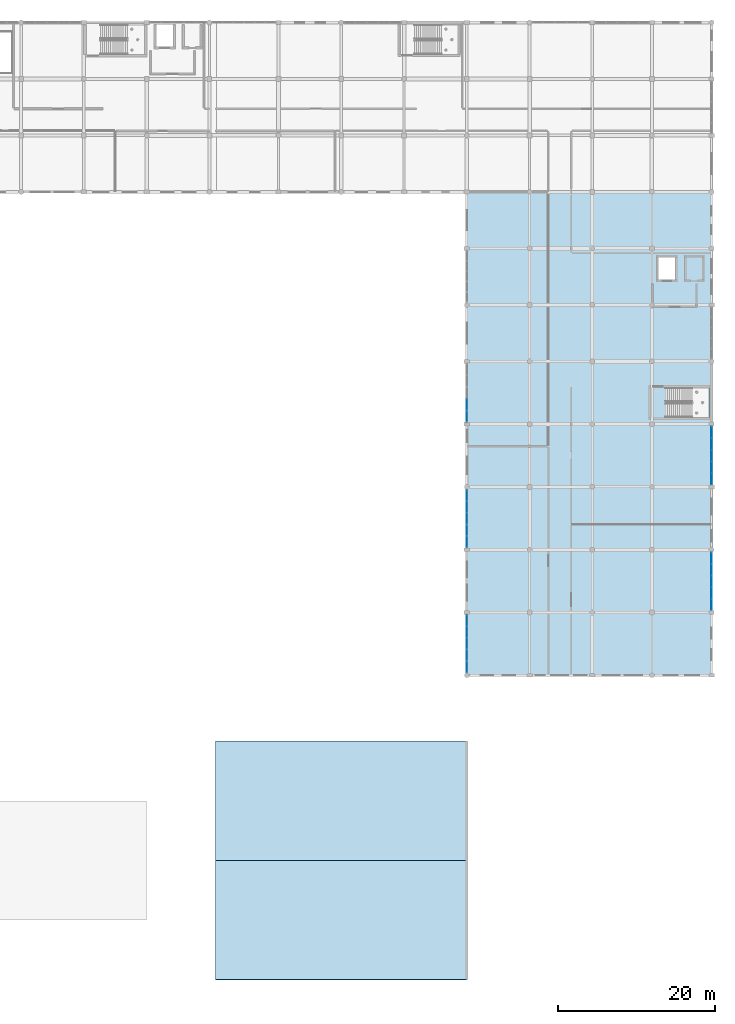
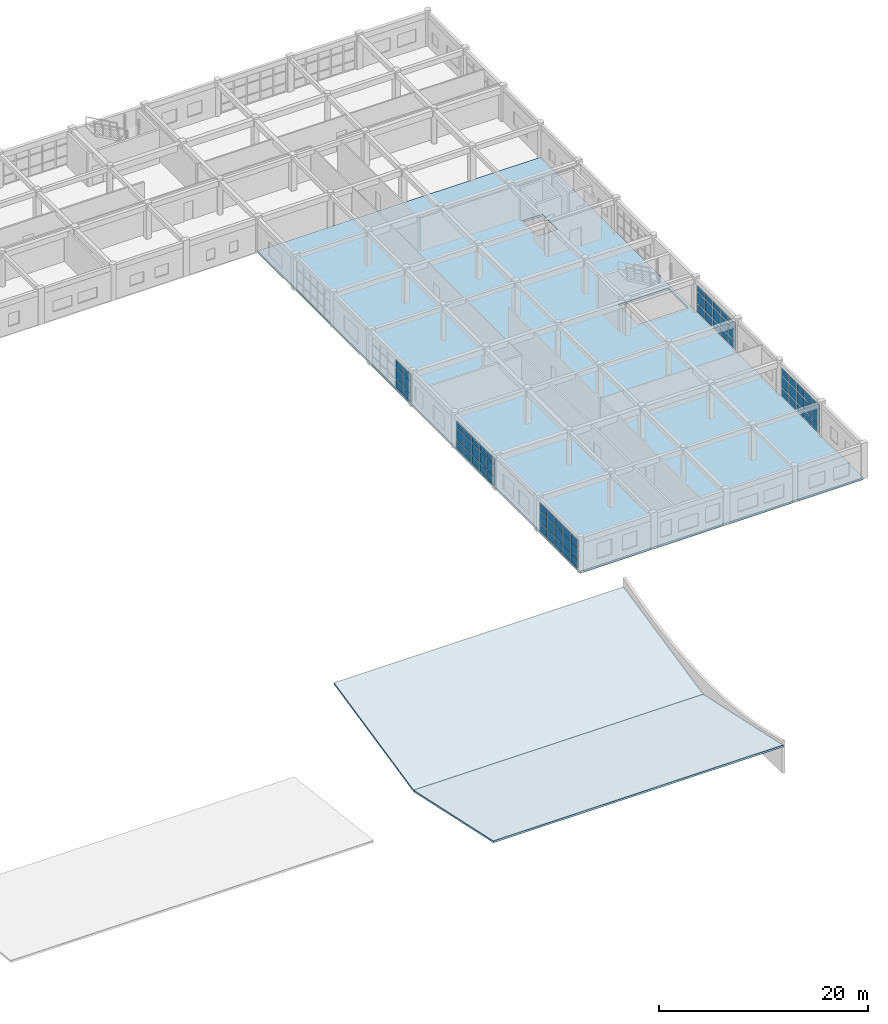
# One storey, part 37 of 53: 66 plates, 3 slabs, 5 elements without a shape of their own.
"""IFC4 building model written with IfcOpenShell, lengths in metres."""

from ifc_helpers import new_model, si_unit, direction, frame, origin, origin_2d, place, context, subcontext, project, spatial, polyline, rectangle, outline, extrude, material, layer, layer_set, type_object, element, aggregate, save


model = new_model("IFC4")

# Units and contexts
model_context = context("Model", 3, precision=1e-05, world=origin(), true_north=direction((0.0, 1.0)))
body_context = subcontext(model_context, "Body", "Model", "MODEL_VIEW")
ifc_project = project(units=[si_unit("LENGTHUNIT", "METRE"), si_unit("AREAUNIT", "SQUARE_METRE"), si_unit("VOLUMEUNIT", "CUBIC_METRE"), si_unit("PLANEANGLEUNIT", "RADIAN"), si_unit("MASSUNIT", "GRAM", prefix="KILO")], contexts=[model_context])

# Site, building, storey
site_placement = place(None, origin())
site = spatial("IfcSite", under=ifc_project, at=site_placement, CompositionType="ELEMENT")
building_placement = place(site_placement, origin())
building = spatial("IfcBuilding", under=site, at=building_placement, Name="Kharva Crest Polytechnic", CompositionType="ELEMENT")
storey_placement = place(building_placement, frame((0.0, 0.0, 17.39990234375)))
storey = spatial("IfcBuildingStorey", under=building, at=storey_placement, Name="L04", CompositionType="ELEMENT", Elevation=17.39990234375)

# Curtain wall, plates
ifc_material_1 = material(Name="Tempered insulated glass", Category="glass")
curtain_wall_type = type_object("IfcCurtainWallType", Name="CW-SYS-STUDIO", PredefinedType="USERDEFINED", material=ifc_material_1)
curtain_wall_1_placement = place(storey_placement, origin())
curtain_wall_1 = element("IfcCurtainWall", 1, at=curtain_wall_1_placement, inside=storey, type_object=curtain_wall_type, Name="L04 Glazed Curtain Wall CW-183", ObjectType="CURTAIN WALL", PredefinedType="USERDEFINED")
ifc_layer_1 = layer(ifc_material_1, 0.02587890625, Name="Tempered insulated glass")
ifc_layer_set_1 = layer_set([ifc_layer_1], Name="Tempered insulated glass")
plate_type = type_object("IfcPlateType", Name="CWP-GLZ-26", PredefinedType="CURTAIN_PANEL", material=ifc_layer_set_1)
plate_1_placement = place(storey_placement, frame((152.800048828125, 73.302001953125, 0.1201171875), z_axis=(0.0, 0.0, 1.0), x_axis=(0.0, -1.0, 0.0)))
plate_1 = element("IfcPlate", 2, at=plate_1_placement, type_object=plate_type, Name="CW-183 panel 4.1", PredefinedType="CURTAIN_PANEL", context=body_context, shape_type="SweptSolid", body=[
    extrude(rectangle(XDim=1.41796875, YDim=0.02587890625, at=origin_2d()), origin(), (0.0, 0.0, 1.0), 0.8701171875),
])
plate_2_placement = place(storey_placement, frame((152.800048828125, 73.302001953125, 1.10986328125), z_axis=(0.0, 0.0, 1.0), x_axis=(0.0, -1.0, 0.0)))
plate_2 = element("IfcPlate", 3, at=plate_2_placement, type_object=plate_type, Name="CW-183 panel 4.2", PredefinedType="CURTAIN_PANEL", context=body_context, shape_type="SweptSolid", body=[
    extrude(rectangle(XDim=1.41796875, YDim=0.02587890625, at=origin_2d()), origin(), (0.0, 0.0, 1.0), 1.280029296875),
])
plate_3_placement = place(storey_placement, frame((152.800048828125, 73.302001953125, 2.51025390625), z_axis=(0.0, 0.0, 1.0), x_axis=(0.0, -1.0, 0.0)))
plate_3 = element("IfcPlate", 4, at=plate_3_placement, type_object=plate_type, Name="CW-183 panel 4.3", PredefinedType="CURTAIN_PANEL", context=body_context, shape_type="SweptSolid", body=[
    extrude(rectangle(XDim=1.41796875, YDim=0.02587890625, at=origin_2d()), origin(), (0.0, 0.0, 1.0), 0.820068359375),
])
plate_4_placement = place(storey_placement, frame((152.800048828125, 71.823974609375, 0.1201171875), z_axis=(0.0, 0.0, 1.0), x_axis=(0.0, -1.0, 0.0)))
plate_4 = element("IfcPlate", 5, at=plate_4_placement, type_object=plate_type, Name="CW-183 panel 5.1", PredefinedType="CURTAIN_PANEL", context=body_context, shape_type="SweptSolid", body=[
    extrude(rectangle(XDim=1.3779296875, YDim=0.02587890625, at=origin_2d()), origin(), (0.0, 0.0, 1.0), 0.8701171875),
])
plate_5_placement = place(storey_placement, frame((152.800048828125, 71.823974609375, 1.10986328125), z_axis=(0.0, 0.0, 1.0), x_axis=(0.0, -1.0, 0.0)))
plate_5 = element("IfcPlate", 6, at=plate_5_placement, type_object=plate_type, Name="CW-183 panel 5.2", PredefinedType="CURTAIN_PANEL", context=body_context, shape_type="SweptSolid", body=[
    extrude(rectangle(XDim=1.3779296875, YDim=0.02587890625, at=origin_2d()), origin(), (0.0, 0.0, 1.0), 1.280029296875),
])
plate_6_placement = place(storey_placement, frame((152.800048828125, 71.823974609375, 2.51025390625), z_axis=(0.0, 0.0, 1.0), x_axis=(0.0, -1.0, 0.0)))
plate_6 = element("IfcPlate", 7, at=plate_6_placement, type_object=plate_type, Name="CW-183 panel 5.3", PredefinedType="CURTAIN_PANEL", context=body_context, shape_type="SweptSolid", body=[
    extrude(rectangle(XDim=1.3779296875, YDim=0.02587890625, at=origin_2d()), origin(), (0.0, 0.0, 1.0), 0.820068359375),
])
aggregate(curtain_wall_1, [plate_1, plate_2, plate_3, plate_4, plate_5, plate_6])

curtain_wall_2_placement = place(storey_placement, origin())
curtain_wall_2 = element("IfcCurtainWall", 8, at=curtain_wall_2_placement, inside=storey, type_object=curtain_wall_type, Name="L04 Glazed Curtain Wall CW-184", ObjectType="CURTAIN WALL", PredefinedType="USERDEFINED")
plate_7_placement = place(storey_placement, frame((152.800048828125, 61.712890625, 0.1201171875), z_axis=(0.0, 0.0, 1.0), x_axis=(0.0, -1.0, 0.0)))
plate_7 = element("IfcPlate", 9, at=plate_7_placement, type_object=plate_type, Name="CW-184 panel 1.1", PredefinedType="CURTAIN_PANEL", context=body_context, shape_type="SweptSolid", body=[
    extrude(rectangle(XDim=1.364013671875, YDim=0.02587890625, at=origin_2d()), origin(), (0.0, 0.0, 1.0), 0.8701171875),
])
plate_8_placement = place(storey_placement, frame((152.800048828125, 61.712890625, 1.10986328125), z_axis=(0.0, 0.0, 1.0), x_axis=(0.0, -1.0, 0.0)))
plate_8 = element("IfcPlate", 10, at=plate_8_placement, type_object=plate_type, Name="CW-184 panel 1.2", PredefinedType="CURTAIN_PANEL", context=body_context, shape_type="SweptSolid", body=[
    extrude(rectangle(XDim=1.364013671875, YDim=0.02587890625, at=origin_2d()), origin(), (0.0, 0.0, 1.0), 1.280029296875),
])
plate_9_placement = place(storey_placement, frame((152.800048828125, 61.712890625, 2.51025390625), z_axis=(0.0, 0.0, 1.0), x_axis=(0.0, -1.0, 0.0)))
plate_9 = element("IfcPlate", 11, at=plate_9_placement, type_object=plate_type, Name="CW-184 panel 1.3", PredefinedType="CURTAIN_PANEL", context=body_context, shape_type="SweptSolid", body=[
    extrude(rectangle(XDim=1.364013671875, YDim=0.02587890625, at=origin_2d()), origin(), (0.0, 0.0, 1.0), 0.719970703125),
])
plate_10_placement = place(storey_placement, frame((152.800048828125, 60.2490234375, 0.1201171875), z_axis=(0.0, 0.0, 1.0), x_axis=(0.0, -1.0, 0.0)))
plate_10 = element("IfcPlate", 12, at=plate_10_placement, type_object=plate_type, Name="CW-184 panel 2.1", PredefinedType="CURTAIN_PANEL", context=body_context, shape_type="SweptSolid", body=[
    extrude(rectangle(XDim=1.404052734375, YDim=0.02587890625, at=origin_2d()), origin(), (0.0, 0.0, 1.0), 0.8701171875),
])
plate_11_placement = place(storey_placement, frame((152.800048828125, 60.2490234375, 1.10986328125), z_axis=(0.0, 0.0, 1.0), x_axis=(0.0, -1.0, 0.0)))
plate_11 = element("IfcPlate", 13, at=plate_11_placement, type_object=plate_type, Name="CW-184 panel 2.2", PredefinedType="CURTAIN_PANEL", context=body_context, shape_type="SweptSolid", body=[
    extrude(rectangle(XDim=1.404052734375, YDim=0.02587890625, at=origin_2d()), origin(), (0.0, 0.0, 1.0), 1.280029296875),
])
plate_12_placement = place(storey_placement, frame((152.800048828125, 60.2490234375, 2.51025390625), z_axis=(0.0, 0.0, 1.0), x_axis=(0.0, -1.0, 0.0)))
plate_12 = element("IfcPlate", 14, at=plate_12_placement, type_object=plate_type, Name="CW-184 panel 2.3", PredefinedType="CURTAIN_PANEL", context=body_context, shape_type="SweptSolid", body=[
    extrude(rectangle(XDim=1.404052734375, YDim=0.02587890625, at=origin_2d()), origin(), (0.0, 0.0, 1.0), 0.719970703125),
])
plate_13_placement = place(storey_placement, frame((152.800048828125, 58.764892578125, 0.1201171875), z_axis=(0.0, 0.0, 1.0), x_axis=(0.0, -1.0, 0.0)))
plate_13 = element("IfcPlate", 15, at=plate_13_placement, type_object=plate_type, Name="CW-184 panel 3.1", PredefinedType="CURTAIN_PANEL", context=body_context, shape_type="SweptSolid", body=[
    extrude(rectangle(XDim=1.404052734375, YDim=0.02587890625, at=origin_2d()), origin(), (0.0, 0.0, 1.0), 0.8701171875),
])
plate_14_placement = place(storey_placement, frame((152.800048828125, 58.764892578125, 1.10986328125), z_axis=(0.0, 0.0, 1.0), x_axis=(0.0, -1.0, 0.0)))
plate_14 = element("IfcPlate", 16, at=plate_14_placement, type_object=plate_type, Name="CW-184 panel 3.2", PredefinedType="CURTAIN_PANEL", context=body_context, shape_type="SweptSolid", body=[
    extrude(rectangle(XDim=1.404052734375, YDim=0.02587890625, at=origin_2d()), origin(), (0.0, 0.0, 1.0), 1.280029296875),
])
plate_15_placement = place(storey_placement, frame((152.800048828125, 58.764892578125, 2.51025390625), z_axis=(0.0, 0.0, 1.0), x_axis=(0.0, -1.0, 0.0)))
plate_15 = element("IfcPlate", 17, at=plate_15_placement, type_object=plate_type, Name="CW-184 panel 3.3", PredefinedType="CURTAIN_PANEL", context=body_context, shape_type="SweptSolid", body=[
    extrude(rectangle(XDim=1.404052734375, YDim=0.02587890625, at=origin_2d()), origin(), (0.0, 0.0, 1.0), 0.719970703125),
])
plate_16_placement = place(storey_placement, frame((152.800048828125, 57.281005859375, 0.1201171875), z_axis=(0.0, 0.0, 1.0), x_axis=(0.0, -1.0, 0.0)))
plate_16 = element("IfcPlate", 18, at=plate_16_placement, type_object=plate_type, Name="CW-184 panel 4.1", PredefinedType="CURTAIN_PANEL", context=body_context, shape_type="SweptSolid", body=[
    extrude(rectangle(XDim=1.404052734375, YDim=0.02587890625, at=origin_2d()), origin(), (0.0, 0.0, 1.0), 0.8701171875),
])
plate_17_placement = place(storey_placement, frame((152.800048828125, 57.281005859375, 1.10986328125), z_axis=(0.0, 0.0, 1.0), x_axis=(0.0, -1.0, 0.0)))
plate_17 = element("IfcPlate", 19, at=plate_17_placement, type_object=plate_type, Name="CW-184 panel 4.2", PredefinedType="CURTAIN_PANEL", context=body_context, shape_type="SweptSolid", body=[
    extrude(rectangle(XDim=1.404052734375, YDim=0.02587890625, at=origin_2d()), origin(), (0.0, 0.0, 1.0), 1.280029296875),
])
plate_18_placement = place(storey_placement, frame((152.800048828125, 57.281005859375, 2.51025390625), z_axis=(0.0, 0.0, 1.0), x_axis=(0.0, -1.0, 0.0)))
plate_18 = element("IfcPlate", 20, at=plate_18_placement, type_object=plate_type, Name="CW-184 panel 4.3", PredefinedType="CURTAIN_PANEL", context=body_context, shape_type="SweptSolid", body=[
    extrude(rectangle(XDim=1.404052734375, YDim=0.02587890625, at=origin_2d()), origin(), (0.0, 0.0, 1.0), 0.719970703125),
])
plate_19_placement = place(storey_placement, frame((152.800048828125, 55.81689453125, 0.1201171875), z_axis=(0.0, 0.0, 1.0), x_axis=(0.0, -1.0, 0.0)))
plate_19 = element("IfcPlate", 21, at=plate_19_placement, type_object=plate_type, Name="CW-184 panel 5.1", PredefinedType="CURTAIN_PANEL", context=body_context, shape_type="SweptSolid", body=[
    extrude(rectangle(XDim=1.364013671875, YDim=0.02587890625, at=origin_2d()), origin(), (0.0, 0.0, 1.0), 0.8701171875),
])
plate_20_placement = place(storey_placement, frame((152.800048828125, 55.81689453125, 1.10986328125), z_axis=(0.0, 0.0, 1.0), x_axis=(0.0, -1.0, 0.0)))
plate_20 = element("IfcPlate", 22, at=plate_20_placement, type_object=plate_type, Name="CW-184 panel 5.2", PredefinedType="CURTAIN_PANEL", context=body_context, shape_type="SweptSolid", body=[
    extrude(rectangle(XDim=1.364013671875, YDim=0.02587890625, at=origin_2d()), origin(), (0.0, 0.0, 1.0), 1.280029296875),
])
plate_21_placement = place(storey_placement, frame((152.800048828125, 55.81689453125, 2.51025390625), z_axis=(0.0, 0.0, 1.0), x_axis=(0.0, -1.0, 0.0)))
plate_21 = element("IfcPlate", 23, at=plate_21_placement, type_object=plate_type, Name="CW-184 panel 5.3", PredefinedType="CURTAIN_PANEL", context=body_context, shape_type="SweptSolid", body=[
    extrude(rectangle(XDim=1.364013671875, YDim=0.02587890625, at=origin_2d()), origin(), (0.0, 0.0, 1.0), 0.719970703125),
])
aggregate(curtain_wall_2, [plate_7, plate_8, plate_9, plate_10, plate_11, plate_12, plate_13, plate_14, plate_15, plate_16, plate_17, plate_18, plate_19, plate_20, plate_21])

curtain_wall_3_placement = place(storey_placement, origin())
curtain_wall_3 = element("IfcCurtainWall", 24, at=curtain_wall_3_placement, inside=storey, type_object=curtain_wall_type, Name="L04 Glazed Curtain Wall CW-185", ObjectType="CURTAIN WALL", PredefinedType="USERDEFINED")
plate_22_placement = place(storey_placement, frame((152.800048828125, 45.782958984375, 0.1201171875), z_axis=(0.0, 0.0, 1.0), x_axis=(0.0, -1.0, 0.0)))
plate_22 = element("IfcPlate", 25, at=plate_22_placement, type_object=plate_type, Name="CW-185 panel 1.1", PredefinedType="CURTAIN_PANEL", context=body_context, shape_type="SweptSolid", body=[
    extrude(rectangle(XDim=1.364013671875, YDim=0.02587890625, at=origin_2d()), origin(), (0.0, 0.0, 1.0), 0.8701171875),
])
plate_23_placement = place(storey_placement, frame((152.800048828125, 45.782958984375, 1.10986328125), z_axis=(0.0, 0.0, 1.0), x_axis=(0.0, -1.0, 0.0)))
plate_23 = element("IfcPlate", 26, at=plate_23_placement, type_object=plate_type, Name="CW-185 panel 1.2", PredefinedType="CURTAIN_PANEL", context=body_context, shape_type="SweptSolid", body=[
    extrude(rectangle(XDim=1.364013671875, YDim=0.02587890625, at=origin_2d()), origin(), (0.0, 0.0, 1.0), 1.280029296875),
])
plate_24_placement = place(storey_placement, frame((152.800048828125, 45.782958984375, 2.51025390625), z_axis=(0.0, 0.0, 1.0), x_axis=(0.0, -1.0, 0.0)))
plate_24 = element("IfcPlate", 27, at=plate_24_placement, type_object=plate_type, Name="CW-185 panel 1.3", PredefinedType="CURTAIN_PANEL", context=body_context, shape_type="SweptSolid", body=[
    extrude(rectangle(XDim=1.364013671875, YDim=0.02587890625, at=origin_2d()), origin(), (0.0, 0.0, 1.0), 0.8798828125),
])
plate_25_placement = place(storey_placement, frame((152.800048828125, 44.319091796875, 0.1201171875), z_axis=(0.0, 0.0, 1.0), x_axis=(0.0, -1.0, 0.0)))
plate_25 = element("IfcPlate", 28, at=plate_25_placement, type_object=plate_type, Name="CW-185 panel 2.1", PredefinedType="CURTAIN_PANEL", context=body_context, shape_type="SweptSolid", body=[
    extrude(rectangle(XDim=1.404052734375, YDim=0.02587890625, at=origin_2d()), origin(), (0.0, 0.0, 1.0), 0.8701171875),
])
plate_26_placement = place(storey_placement, frame((152.800048828125, 44.319091796875, 1.10986328125), z_axis=(0.0, 0.0, 1.0), x_axis=(0.0, -1.0, 0.0)))
plate_26 = element("IfcPlate", 29, at=plate_26_placement, type_object=plate_type, Name="CW-185 panel 2.2", PredefinedType="CURTAIN_PANEL", context=body_context, shape_type="SweptSolid", body=[
    extrude(rectangle(XDim=1.404052734375, YDim=0.02587890625, at=origin_2d()), origin(), (0.0, 0.0, 1.0), 1.280029296875),
])
plate_27_placement = place(storey_placement, frame((152.800048828125, 44.319091796875, 2.51025390625), z_axis=(0.0, 0.0, 1.0), x_axis=(0.0, -1.0, 0.0)))
plate_27 = element("IfcPlate", 30, at=plate_27_placement, type_object=plate_type, Name="CW-185 panel 2.3", PredefinedType="CURTAIN_PANEL", context=body_context, shape_type="SweptSolid", body=[
    extrude(rectangle(XDim=1.404052734375, YDim=0.02587890625, at=origin_2d()), origin(), (0.0, 0.0, 1.0), 0.8798828125),
])
plate_28_placement = place(storey_placement, frame((152.800048828125, 42.8349609375, 0.1201171875), z_axis=(0.0, 0.0, 1.0), x_axis=(0.0, -1.0, 0.0)))
plate_28 = element("IfcPlate", 31, at=plate_28_placement, type_object=plate_type, Name="CW-185 panel 3.1", PredefinedType="CURTAIN_PANEL", context=body_context, shape_type="SweptSolid", body=[
    extrude(rectangle(XDim=1.404052734375, YDim=0.02587890625, at=origin_2d()), origin(), (0.0, 0.0, 1.0), 0.8701171875),
])
plate_29_placement = place(storey_placement, frame((152.800048828125, 42.8349609375, 1.10986328125), z_axis=(0.0, 0.0, 1.0), x_axis=(0.0, -1.0, 0.0)))
plate_29 = element("IfcPlate", 32, at=plate_29_placement, type_object=plate_type, Name="CW-185 panel 3.2", PredefinedType="CURTAIN_PANEL", context=body_context, shape_type="SweptSolid", body=[
    extrude(rectangle(XDim=1.404052734375, YDim=0.02587890625, at=origin_2d()), origin(), (0.0, 0.0, 1.0), 1.280029296875),
])
plate_30_placement = place(storey_placement, frame((152.800048828125, 42.8349609375, 2.51025390625), z_axis=(0.0, 0.0, 1.0), x_axis=(0.0, -1.0, 0.0)))
plate_30 = element("IfcPlate", 33, at=plate_30_placement, type_object=plate_type, Name="CW-185 panel 3.3", PredefinedType="CURTAIN_PANEL", context=body_context, shape_type="SweptSolid", body=[
    extrude(rectangle(XDim=1.404052734375, YDim=0.02587890625, at=origin_2d()), origin(), (0.0, 0.0, 1.0), 0.8798828125),
])
plate_31_placement = place(storey_placement, frame((152.800048828125, 41.35107421875, 0.1201171875), z_axis=(0.0, 0.0, 1.0), x_axis=(0.0, -1.0, 0.0)))
plate_31 = element("IfcPlate", 34, at=plate_31_placement, type_object=plate_type, Name="CW-185 panel 4.1", PredefinedType="CURTAIN_PANEL", context=body_context, shape_type="SweptSolid", body=[
    extrude(rectangle(XDim=1.404052734375, YDim=0.02587890625, at=origin_2d()), origin(), (0.0, 0.0, 1.0), 0.8701171875),
])
plate_32_placement = place(storey_placement, frame((152.800048828125, 41.35107421875, 1.10986328125), z_axis=(0.0, 0.0, 1.0), x_axis=(0.0, -1.0, 0.0)))
plate_32 = element("IfcPlate", 35, at=plate_32_placement, type_object=plate_type, Name="CW-185 panel 4.2", PredefinedType="CURTAIN_PANEL", context=body_context, shape_type="SweptSolid", body=[
    extrude(rectangle(XDim=1.404052734375, YDim=0.02587890625, at=origin_2d()), origin(), (0.0, 0.0, 1.0), 1.280029296875),
])
plate_33_placement = place(storey_placement, frame((152.800048828125, 41.35107421875, 2.51025390625), z_axis=(0.0, 0.0, 1.0), x_axis=(0.0, -1.0, 0.0)))
plate_33 = element("IfcPlate", 36, at=plate_33_placement, type_object=plate_type, Name="CW-185 panel 4.3", PredefinedType="CURTAIN_PANEL", context=body_context, shape_type="SweptSolid", body=[
    extrude(rectangle(XDim=1.404052734375, YDim=0.02587890625, at=origin_2d()), origin(), (0.0, 0.0, 1.0), 0.8798828125),
])
plate_34_placement = place(storey_placement, frame((152.800048828125, 39.886962890625, 0.1201171875), z_axis=(0.0, 0.0, 1.0), x_axis=(0.0, -1.0, 0.0)))
plate_34 = element("IfcPlate", 37, at=plate_34_placement, type_object=plate_type, Name="CW-185 panel 5.1", PredefinedType="CURTAIN_PANEL", context=body_context, shape_type="SweptSolid", body=[
    extrude(rectangle(XDim=1.364013671875, YDim=0.02587890625, at=origin_2d()), origin(), (0.0, 0.0, 1.0), 0.8701171875),
])
plate_35_placement = place(storey_placement, frame((152.800048828125, 39.886962890625, 1.10986328125), z_axis=(0.0, 0.0, 1.0), x_axis=(0.0, -1.0, 0.0)))
plate_35 = element("IfcPlate", 38, at=plate_35_placement, type_object=plate_type, Name="CW-185 panel 5.2", PredefinedType="CURTAIN_PANEL", context=body_context, shape_type="SweptSolid", body=[
    extrude(rectangle(XDim=1.364013671875, YDim=0.02587890625, at=origin_2d()), origin(), (0.0, 0.0, 1.0), 1.280029296875),
])
plate_36_placement = place(storey_placement, frame((152.800048828125, 39.886962890625, 2.51025390625), z_axis=(0.0, 0.0, 1.0), x_axis=(0.0, -1.0, 0.0)))
plate_36 = element("IfcPlate", 39, at=plate_36_placement, type_object=plate_type, Name="CW-185 panel 5.3", PredefinedType="CURTAIN_PANEL", context=body_context, shape_type="SweptSolid", body=[
    extrude(rectangle(XDim=1.364013671875, YDim=0.02587890625, at=origin_2d()), origin(), (0.0, 0.0, 1.0), 0.8798828125),
])
aggregate(curtain_wall_3, [plate_22, plate_23, plate_24, plate_25, plate_26, plate_27, plate_28, plate_29, plate_30, plate_31, plate_32, plate_33, plate_34, plate_35, plate_36])

curtain_wall_4_placement = place(storey_placement, origin())
curtain_wall_4 = element("IfcCurtainWall", 40, at=curtain_wall_4_placement, inside=storey, type_object=curtain_wall_type, Name="L04 Glazed Curtain Wall CW-186", ObjectType="CURTAIN WALL", PredefinedType="USERDEFINED")
plate_37_placement = place(storey_placement, frame((184.0, 47.81689453125, 0.1201171875), z_axis=(0.0, 0.0, 1.0), x_axis=(0.0, 1.0, 0.0)))
plate_37 = element("IfcPlate", 41, at=plate_37_placement, type_object=plate_type, Name="CW-186 panel 1.1", PredefinedType="CURTAIN_PANEL", context=body_context, shape_type="SweptSolid", body=[
    extrude(rectangle(XDim=1.364013671875, YDim=0.02587890625, at=origin_2d()), origin(), (0.0, 0.0, 1.0), 0.8701171875),
])
plate_38_placement = place(storey_placement, frame((184.0, 47.81689453125, 1.10986328125), z_axis=(0.0, 0.0, 1.0), x_axis=(0.0, 1.0, 0.0)))
plate_38 = element("IfcPlate", 42, at=plate_38_placement, type_object=plate_type, Name="CW-186 panel 1.2", PredefinedType="CURTAIN_PANEL", context=body_context, shape_type="SweptSolid", body=[
    extrude(rectangle(XDim=1.364013671875, YDim=0.02587890625, at=origin_2d()), origin(), (0.0, 0.0, 1.0), 1.280029296875),
])
plate_39_placement = place(storey_placement, frame((184.0, 47.81689453125, 2.51025390625), z_axis=(0.0, 0.0, 1.0), x_axis=(0.0, 1.0, 0.0)))
plate_39 = element("IfcPlate", 43, at=plate_39_placement, type_object=plate_type, Name="CW-186 panel 1.3", PredefinedType="CURTAIN_PANEL", context=body_context, shape_type="SweptSolid", body=[
    extrude(rectangle(XDim=1.364013671875, YDim=0.02587890625, at=origin_2d()), origin(), (0.0, 0.0, 1.0), 0.8798828125),
])
plate_40_placement = place(storey_placement, frame((184.0, 49.281005859375, 0.1201171875), z_axis=(0.0, 0.0, 1.0), x_axis=(0.0, 1.0, 0.0)))
plate_40 = element("IfcPlate", 44, at=plate_40_placement, type_object=plate_type, Name="CW-186 panel 2.1", PredefinedType="CURTAIN_PANEL", context=body_context, shape_type="SweptSolid", body=[
    extrude(rectangle(XDim=1.404052734375, YDim=0.02587890625, at=origin_2d()), origin(), (0.0, 0.0, 1.0), 0.8701171875),
])
plate_41_placement = place(storey_placement, frame((184.0, 49.281005859375, 1.10986328125), z_axis=(0.0, 0.0, 1.0), x_axis=(0.0, 1.0, 0.0)))
plate_41 = element("IfcPlate", 45, at=plate_41_placement, type_object=plate_type, Name="CW-186 panel 2.2", PredefinedType="CURTAIN_PANEL", context=body_context, shape_type="SweptSolid", body=[
    extrude(rectangle(XDim=1.404052734375, YDim=0.02587890625, at=origin_2d()), origin(), (0.0, 0.0, 1.0), 1.280029296875),
])
plate_42_placement = place(storey_placement, frame((184.0, 49.281005859375, 2.51025390625), z_axis=(0.0, 0.0, 1.0), x_axis=(0.0, 1.0, 0.0)))
plate_42 = element("IfcPlate", 46, at=plate_42_placement, type_object=plate_type, Name="CW-186 panel 2.3", PredefinedType="CURTAIN_PANEL", context=body_context, shape_type="SweptSolid", body=[
    extrude(rectangle(XDim=1.404052734375, YDim=0.02587890625, at=origin_2d()), origin(), (0.0, 0.0, 1.0), 0.8798828125),
])
plate_43_placement = place(storey_placement, frame((184.0, 50.764892578125, 0.1201171875), z_axis=(0.0, 0.0, 1.0), x_axis=(0.0, 1.0, 0.0)))
plate_43 = element("IfcPlate", 47, at=plate_43_placement, type_object=plate_type, Name="CW-186 panel 3.1", PredefinedType="CURTAIN_PANEL", context=body_context, shape_type="SweptSolid", body=[
    extrude(rectangle(XDim=1.404052734375, YDim=0.02587890625, at=origin_2d()), origin(), (0.0, 0.0, 1.0), 0.8701171875),
])
plate_44_placement = place(storey_placement, frame((184.0, 50.764892578125, 1.10986328125), z_axis=(0.0, 0.0, 1.0), x_axis=(0.0, 1.0, 0.0)))
plate_44 = element("IfcPlate", 48, at=plate_44_placement, type_object=plate_type, Name="CW-186 panel 3.2", PredefinedType="CURTAIN_PANEL", context=body_context, shape_type="SweptSolid", body=[
    extrude(rectangle(XDim=1.404052734375, YDim=0.02587890625, at=origin_2d()), origin(), (0.0, 0.0, 1.0), 1.280029296875),
])
plate_45_placement = place(storey_placement, frame((184.0, 50.764892578125, 2.51025390625), z_axis=(0.0, 0.0, 1.0), x_axis=(0.0, 1.0, 0.0)))
plate_45 = element("IfcPlate", 49, at=plate_45_placement, type_object=plate_type, Name="CW-186 panel 3.3", PredefinedType="CURTAIN_PANEL", context=body_context, shape_type="SweptSolid", body=[
    extrude(rectangle(XDim=1.404052734375, YDim=0.02587890625, at=origin_2d()), origin(), (0.0, 0.0, 1.0), 0.8798828125),
])
plate_46_placement = place(storey_placement, frame((184.0, 52.2490234375, 0.1201171875), z_axis=(0.0, 0.0, 1.0), x_axis=(0.0, 1.0, 0.0)))
plate_46 = element("IfcPlate", 50, at=plate_46_placement, type_object=plate_type, Name="CW-186 panel 4.1", PredefinedType="CURTAIN_PANEL", context=body_context, shape_type="SweptSolid", body=[
    extrude(rectangle(XDim=1.404052734375, YDim=0.02587890625, at=origin_2d()), origin(), (0.0, 0.0, 1.0), 0.8701171875),
])
plate_47_placement = place(storey_placement, frame((184.0, 52.2490234375, 1.10986328125), z_axis=(0.0, 0.0, 1.0), x_axis=(0.0, 1.0, 0.0)))
plate_47 = element("IfcPlate", 51, at=plate_47_placement, type_object=plate_type, Name="CW-186 panel 4.2", PredefinedType="CURTAIN_PANEL", context=body_context, shape_type="SweptSolid", body=[
    extrude(rectangle(XDim=1.404052734375, YDim=0.02587890625, at=origin_2d()), origin(), (0.0, 0.0, 1.0), 1.280029296875),
])
plate_48_placement = place(storey_placement, frame((184.0, 52.2490234375, 2.51025390625), z_axis=(0.0, 0.0, 1.0), x_axis=(0.0, 1.0, 0.0)))
plate_48 = element("IfcPlate", 52, at=plate_48_placement, type_object=plate_type, Name="CW-186 panel 4.3", PredefinedType="CURTAIN_PANEL", context=body_context, shape_type="SweptSolid", body=[
    extrude(rectangle(XDim=1.404052734375, YDim=0.02587890625, at=origin_2d()), origin(), (0.0, 0.0, 1.0), 0.8798828125),
])
plate_49_placement = place(storey_placement, frame((184.0, 53.712890625, 0.1201171875), z_axis=(0.0, 0.0, 1.0), x_axis=(0.0, 1.0, 0.0)))
plate_49 = element("IfcPlate", 53, at=plate_49_placement, type_object=plate_type, Name="CW-186 panel 5.1", PredefinedType="CURTAIN_PANEL", context=body_context, shape_type="SweptSolid", body=[
    extrude(rectangle(XDim=1.364013671875, YDim=0.02587890625, at=origin_2d()), origin(), (0.0, 0.0, 1.0), 0.8701171875),
])
plate_50_placement = place(storey_placement, frame((184.0, 53.712890625, 1.10986328125), z_axis=(0.0, 0.0, 1.0), x_axis=(0.0, 1.0, 0.0)))
plate_50 = element("IfcPlate", 54, at=plate_50_placement, type_object=plate_type, Name="CW-186 panel 5.2", PredefinedType="CURTAIN_PANEL", context=body_context, shape_type="SweptSolid", body=[
    extrude(rectangle(XDim=1.364013671875, YDim=0.02587890625, at=origin_2d()), origin(), (0.0, 0.0, 1.0), 1.280029296875),
])
plate_51_placement = place(storey_placement, frame((184.0, 53.712890625, 2.51025390625), z_axis=(0.0, 0.0, 1.0), x_axis=(0.0, 1.0, 0.0)))
plate_51 = element("IfcPlate", 55, at=plate_51_placement, type_object=plate_type, Name="CW-186 panel 5.3", PredefinedType="CURTAIN_PANEL", context=body_context, shape_type="SweptSolid", body=[
    extrude(rectangle(XDim=1.364013671875, YDim=0.02587890625, at=origin_2d()), origin(), (0.0, 0.0, 1.0), 0.8798828125),
])
aggregate(curtain_wall_4, [plate_37, plate_38, plate_39, plate_40, plate_41, plate_42, plate_43, plate_44, plate_45, plate_46, plate_47, plate_48, plate_49, plate_50, plate_51])

curtain_wall_5_placement = place(storey_placement, origin())
curtain_wall_5 = element("IfcCurtainWall", 56, at=curtain_wall_5_placement, inside=storey, type_object=curtain_wall_type, Name="L04 Glazed Curtain Wall CW-187", ObjectType="CURTAIN WALL", PredefinedType="USERDEFINED")
plate_52_placement = place(storey_placement, frame((184.0, 63.823974609375, 0.1201171875), z_axis=(0.0, 0.0, 1.0), x_axis=(0.0, 1.0, 0.0)))
plate_52 = element("IfcPlate", 57, at=plate_52_placement, type_object=plate_type, Name="CW-187 panel 1.1", PredefinedType="CURTAIN_PANEL", context=body_context, shape_type="SweptSolid", body=[
    extrude(rectangle(XDim=1.3779296875, YDim=0.02587890625, at=origin_2d()), origin(), (0.0, 0.0, 1.0), 0.8701171875),
])
plate_53_placement = place(storey_placement, frame((184.0, 63.823974609375, 1.10986328125), z_axis=(0.0, 0.0, 1.0), x_axis=(0.0, 1.0, 0.0)))
plate_53 = element("IfcPlate", 58, at=plate_53_placement, type_object=plate_type, Name="CW-187 panel 1.2", PredefinedType="CURTAIN_PANEL", context=body_context, shape_type="SweptSolid", body=[
    extrude(rectangle(XDim=1.3779296875, YDim=0.02587890625, at=origin_2d()), origin(), (0.0, 0.0, 1.0), 1.280029296875),
])
plate_54_placement = place(storey_placement, frame((184.0, 63.823974609375, 2.51025390625), z_axis=(0.0, 0.0, 1.0), x_axis=(0.0, 1.0, 0.0)))
plate_54 = element("IfcPlate", 59, at=plate_54_placement, type_object=plate_type, Name="CW-187 panel 1.3", PredefinedType="CURTAIN_PANEL", context=body_context, shape_type="SweptSolid", body=[
    extrude(rectangle(XDim=1.3779296875, YDim=0.02587890625, at=origin_2d()), origin(), (0.0, 0.0, 1.0), 0.719970703125),
])
plate_55_placement = place(storey_placement, frame((184.0, 65.302001953125, 0.1201171875), z_axis=(0.0, 0.0, 1.0), x_axis=(0.0, 1.0, 0.0)))
plate_55 = element("IfcPlate", 60, at=plate_55_placement, type_object=plate_type, Name="CW-187 panel 2.1", PredefinedType="CURTAIN_PANEL", context=body_context, shape_type="SweptSolid", body=[
    extrude(rectangle(XDim=1.41796875, YDim=0.02587890625, at=origin_2d()), origin(), (0.0, 0.0, 1.0), 0.8701171875),
])
plate_56_placement = place(storey_placement, frame((184.0, 65.302001953125, 1.10986328125), z_axis=(0.0, 0.0, 1.0), x_axis=(0.0, 1.0, 0.0)))
plate_56 = element("IfcPlate", 61, at=plate_56_placement, type_object=plate_type, Name="CW-187 panel 2.2", PredefinedType="CURTAIN_PANEL", context=body_context, shape_type="SweptSolid", body=[
    extrude(rectangle(XDim=1.41796875, YDim=0.02587890625, at=origin_2d()), origin(), (0.0, 0.0, 1.0), 1.280029296875),
])
plate_57_placement = place(storey_placement, frame((184.0, 65.302001953125, 2.51025390625), z_axis=(0.0, 0.0, 1.0), x_axis=(0.0, 1.0, 0.0)))
plate_57 = element("IfcPlate", 62, at=plate_57_placement, type_object=plate_type, Name="CW-187 panel 2.3", PredefinedType="CURTAIN_PANEL", context=body_context, shape_type="SweptSolid", body=[
    extrude(rectangle(XDim=1.41796875, YDim=0.02587890625, at=origin_2d()), origin(), (0.0, 0.0, 1.0), 0.719970703125),
])
plate_58_placement = place(storey_placement, frame((184.0, 66.800048828125, 0.1201171875), z_axis=(0.0, 0.0, 1.0), x_axis=(0.0, 1.0, 0.0)))
plate_58 = element("IfcPlate", 63, at=plate_58_placement, type_object=plate_type, Name="CW-187 panel 3.1", PredefinedType="CURTAIN_PANEL", context=body_context, shape_type="SweptSolid", body=[
    extrude(rectangle(XDim=1.41796875, YDim=0.02587890625, at=origin_2d()), origin(), (0.0, 0.0, 1.0), 0.8701171875),
])
plate_59_placement = place(storey_placement, frame((184.0, 66.800048828125, 1.10986328125), z_axis=(0.0, 0.0, 1.0), x_axis=(0.0, 1.0, 0.0)))
plate_59 = element("IfcPlate", 64, at=plate_59_placement, type_object=plate_type, Name="CW-187 panel 3.2", PredefinedType="CURTAIN_PANEL", context=body_context, shape_type="SweptSolid", body=[
    extrude(rectangle(XDim=1.41796875, YDim=0.02587890625, at=origin_2d()), origin(), (0.0, 0.0, 1.0), 1.280029296875),
])
plate_60_placement = place(storey_placement, frame((184.0, 66.800048828125, 2.51025390625), z_axis=(0.0, 0.0, 1.0), x_axis=(0.0, 1.0, 0.0)))
plate_60 = element("IfcPlate", 65, at=plate_60_placement, type_object=plate_type, Name="CW-187 panel 3.3", PredefinedType="CURTAIN_PANEL", context=body_context, shape_type="SweptSolid", body=[
    extrude(rectangle(XDim=1.41796875, YDim=0.02587890625, at=origin_2d()), origin(), (0.0, 0.0, 1.0), 0.719970703125),
])
plate_61_placement = place(storey_placement, frame((184.0, 68.298095703125, 0.1201171875), z_axis=(0.0, 0.0, 1.0), x_axis=(0.0, 1.0, 0.0)))
plate_61 = element("IfcPlate", 66, at=plate_61_placement, type_object=plate_type, Name="CW-187 panel 4.1", PredefinedType="CURTAIN_PANEL", context=body_context, shape_type="SweptSolid", body=[
    extrude(rectangle(XDim=1.41796875, YDim=0.02587890625, at=origin_2d()), origin(), (0.0, 0.0, 1.0), 0.8701171875),
])
plate_62_placement = place(storey_placement, frame((184.0, 68.298095703125, 1.10986328125), z_axis=(0.0, 0.0, 1.0), x_axis=(0.0, 1.0, 0.0)))
plate_62 = element("IfcPlate", 67, at=plate_62_placement, type_object=plate_type, Name="CW-187 panel 4.2", PredefinedType="CURTAIN_PANEL", context=body_context, shape_type="SweptSolid", body=[
    extrude(rectangle(XDim=1.41796875, YDim=0.02587890625, at=origin_2d()), origin(), (0.0, 0.0, 1.0), 1.280029296875),
])
plate_63_placement = place(storey_placement, frame((184.0, 68.298095703125, 2.51025390625), z_axis=(0.0, 0.0, 1.0), x_axis=(0.0, 1.0, 0.0)))
plate_63 = element("IfcPlate", 68, at=plate_63_placement, type_object=plate_type, Name="CW-187 panel 4.3", PredefinedType="CURTAIN_PANEL", context=body_context, shape_type="SweptSolid", body=[
    extrude(rectangle(XDim=1.41796875, YDim=0.02587890625, at=origin_2d()), origin(), (0.0, 0.0, 1.0), 0.719970703125),
])
plate_64_placement = place(storey_placement, frame((184.0, 69.77587890625, 0.1201171875), z_axis=(0.0, 0.0, 1.0), x_axis=(0.0, 1.0, 0.0)))
plate_64 = element("IfcPlate", 69, at=plate_64_placement, type_object=plate_type, Name="CW-187 panel 5.1", PredefinedType="CURTAIN_PANEL", context=body_context, shape_type="SweptSolid", body=[
    extrude(rectangle(XDim=1.3779296875, YDim=0.02587890625, at=origin_2d()), origin(), (0.0, 0.0, 1.0), 0.8701171875),
])
plate_65_placement = place(storey_placement, frame((184.0, 69.77587890625, 1.10986328125), z_axis=(0.0, 0.0, 1.0), x_axis=(0.0, 1.0, 0.0)))
plate_65 = element("IfcPlate", 70, at=plate_65_placement, type_object=plate_type, Name="CW-187 panel 5.2", PredefinedType="CURTAIN_PANEL", context=body_context, shape_type="SweptSolid", body=[
    extrude(rectangle(XDim=1.3779296875, YDim=0.02587890625, at=origin_2d()), origin(), (0.0, 0.0, 1.0), 1.280029296875),
])
plate_66_placement = place(storey_placement, frame((184.0, 69.77587890625, 2.51025390625), z_axis=(0.0, 0.0, 1.0), x_axis=(0.0, 1.0, 0.0)))
plate_66 = element("IfcPlate", 71, at=plate_66_placement, type_object=plate_type, Name="CW-187 panel 5.3", PredefinedType="CURTAIN_PANEL", context=body_context, shape_type="SweptSolid", body=[
    extrude(rectangle(XDim=1.3779296875, YDim=0.02587890625, at=origin_2d()), origin(), (0.0, 0.0, 1.0), 0.719970703125),
])
aggregate(curtain_wall_5, [plate_52, plate_53, plate_54, plate_55, plate_56, plate_57, plate_58, plate_59, plate_60, plate_61, plate_62, plate_63, plate_64, plate_65, plate_66])

# Slabs
ifc_material_2 = material(Name="Concrete C35/45", Category="concrete")
ifc_layer_2 = layer(ifc_material_2, 0.239990234375, Name="Concrete C35/45")
ifc_layer_set_2 = layer_set([ifc_layer_2], Name="Concrete C35/45")
slab_type_1 = type_object("IfcSlabType", Name="SLB-FLR-240", PredefinedType="FLOOR", material=ifc_layer_set_2)
slab_placement = place(storey_placement, frame((0.0, 0.0, -0.239990234375)))
element("IfcSlab", 72, at=slab_placement, inside=storey, type_object=slab_type_1, Name="L04 Structural Slab E_STUDIO", PredefinedType="FLOOR", context=body_context, shape_type="SweptSolid", body=[
    extrude(outline(polyline([(152.800048828125, 38.800048828125), (184.0, 38.800048828125), (184.0, 100.39990234375), (152.800048828125, 100.39990234375), (152.800048828125, 38.800048828125)]), holes=[polyline([(178.1298828125, 71.669921875), (183.699951171875, 71.669921875), (183.699951171875, 75.429931640625), (178.1298828125, 75.429931640625), (178.1298828125, 71.669921875)]), polyline([(177.199951171875, 89.199951171875), (179.39990234375, 89.199951171875), (179.39990234375, 92.10009765625), (177.199951171875, 92.10009765625), (177.199951171875, 89.199951171875)])]), origin(), (0.0, 0.0, 1.0), 0.239990234375),
])
ifc_layer_3 = layer(ifc_material_2, 0.195068359375, Name="Concrete C35/45")
ifc_layer_set_3 = layer_set([ifc_layer_3], Name="Concrete C35/45")
slab_type_2 = type_object("IfcSlabType", Name="SLB-ROOF-195", PredefinedType="ROOF", material=ifc_layer_set_3)
for number, where, z_axis, x_axis, name in (
    (73, (120.800048828125, 0.0, 3.300048828125), (0.0, 0.21216637008, 0.977233560316), (1.0, 0.0, 0.0), "Refectory Pavilion South Sloped Roof"),
    (74, (120.800048828125, 15.199951171875, 0.0), (0.0, -0.21216637008, 0.977233560316), (1.0, 0.0, 0.0), "Refectory Pavilion North Sloped Roof"),
):
    element("IfcSlab", number, at=place(storey_placement, frame(where, z_axis=z_axis, x_axis=x_axis)), inside=storey, type_object=slab_type_2, Name=name, PredefinedType="ROOF", context=body_context, shape_type="SweptSolid", body=[
        extrude(outline(polyline([(0.0, 0.0), (32.0, 0.0), (32.0, 15.554061781264512), (0.0, 15.554061781264512), (0.0, 0.0)])), origin(), (0.0, 0.0, -1.0), 0.195068359375),
    ])

save(model, "model.ifc")
